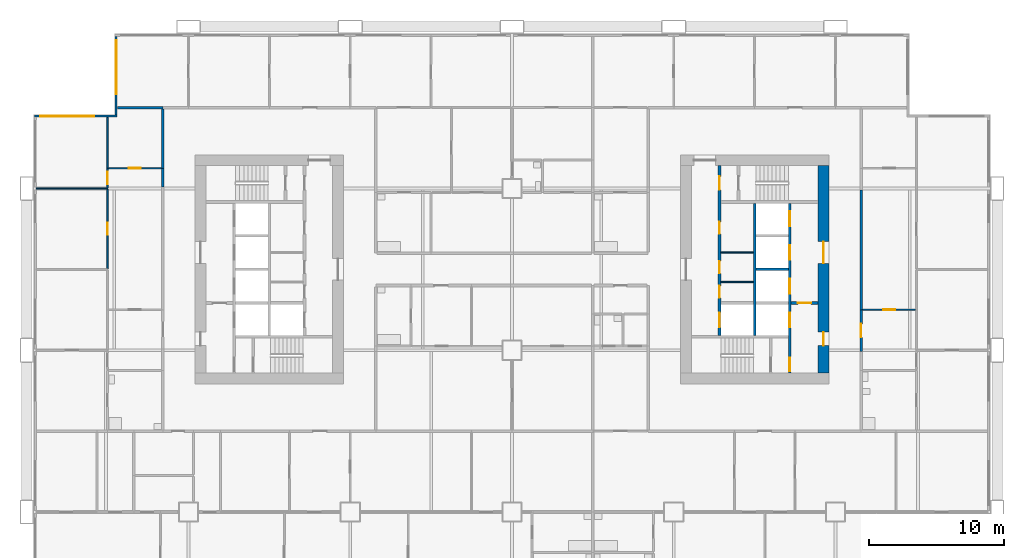
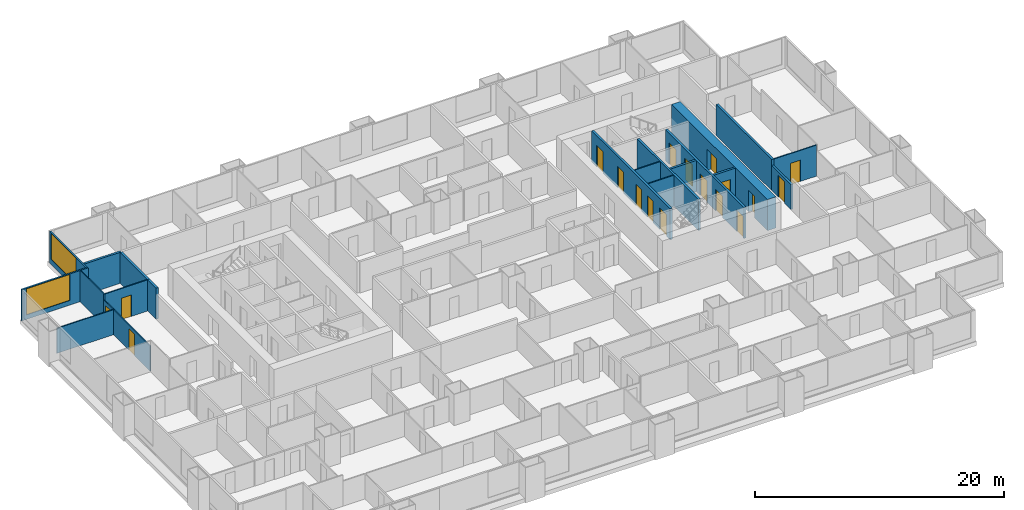
# One storey, part 7 of 13: 21 walls, 18 doors, 2 windows, 20 openings.
"""IFC4 building model written with IfcOpenShell, lengths in metres."""

from ifc_helpers import new_model, si_unit, direction, frame, frame_2d, origin, place, context, subcontext, project, spatial, rectangle, extrude, material, layer, layer_set, type_object, element, fill, save


model = new_model("IFC4")

# Units and contexts
model_context = context("Model", 3, precision=1e-05, world=origin(), true_north=direction((0.0, 1.0)))
body_context = subcontext(model_context, "Body", "Model", "MODEL_VIEW")
ifc_project = project(units=[si_unit("LENGTHUNIT", "METRE"), si_unit("AREAUNIT", "SQUARE_METRE"), si_unit("VOLUMEUNIT", "CUBIC_METRE"), si_unit("PLANEANGLEUNIT", "RADIAN"), si_unit("MASSUNIT", "GRAM", prefix="KILO")], contexts=[model_context])

# Site, building, storey
site_placement = place(None, origin())
site = spatial("IfcSite", under=ifc_project, at=site_placement, CompositionType="ELEMENT")
building_placement = place(site_placement, origin())
building = spatial("IfcBuilding", under=site, at=building_placement, Name="Kitamizu Gate Tower and Museum", CompositionType="ELEMENT")
storey_placement = place(building_placement, frame((0.0, 0.0, 57.60009765625)))
storey = spatial("IfcBuildingStorey", under=building, at=storey_placement, Name="L13", CompositionType="ELEMENT", Elevation=57.60009765625)

# Wall, openings, doors
ifc_material_1 = material(Name="Concrete Fc60", Category="concrete")
ifc_layer_1 = layer(ifc_material_1, 0.800048828125)
ifc_layer_set_1 = layer_set([ifc_layer_1], Name="Concrete Fc60")
wall_type_1 = type_object("IfcWallType", Name="Core wall 800", PredefinedType="SHEAR", material=ifc_layer_set_1)
wall_1_placement = place(storey_placement, frame((59.10009765625, 22.300048828125, 0.0), z_axis=(0.0, 0.0, 1.0), x_axis=(0.0, 1.0, 0.0)))
wall_1 = element("IfcWall", 1, at=wall_1_placement, inside=storey, type_object=wall_type_1, Name="Core wall EOUT", PredefinedType="SHEAR", context=body_context, shape_type="SweptSolid", body=[
    extrude(rectangle(XDim=15.39990234375, YDim=0.800048828125, at=frame_2d((7.699951171875, 0.0))), origin(), (0.0, 0.0, 1.0), 3.0498046875),
])
opening_1_placement = place(wall_1_placement, frame((8.14990234375, 0.0, 0.0)))
opening_1 = element("IfcOpeningElement", 2, at=opening_1_placement, cuts=wall_1, Name="Opening L13-093", PredefinedType="OPENING", context=body_context, shape_type="SweptSolid", body=[
    extrude(rectangle(XDim=1.60009765625, YDim=2.10009765625, at=frame_2d((0.800048828125, 1.050048828125))), frame((0.0, 0.41015625, 0.0), z_axis=(0.0, -1.0, 0.0), x_axis=(1.0, 0.0, 0.0)), (0.0, 0.0, 1.0), 0.820068359375),
])
opening_2_placement = place(wall_1_placement, frame((2.050048828125, 0.0, 0.0)))
opening_2 = element("IfcOpeningElement", 3, at=opening_2_placement, cuts=wall_1, Name="Opening L13-094", PredefinedType="OPENING", context=body_context, shape_type="SweptSolid", body=[
    extrude(rectangle(XDim=1.0, YDim=2.10009765625, at=frame_2d((0.5, 1.050048828125))), frame((0.0, 0.41015625, 0.0), z_axis=(0.0, -1.0, 0.0), x_axis=(1.0, 0.0, 0.0)), (0.0, 0.0, 1.0), 0.820068359375),
])
ifc_material_2 = material(Name="Timber door set", Category="wood")
door_type_1 = type_object("IfcDoorType", Name="Entrance door 1600", OperationType="DOUBLE_DOOR_SINGLE_SWING", PredefinedType="DOOR", material=ifc_material_2)
door_1_placement = place(opening_1_placement, origin())
door_1 = element("IfcDoor", 4, at=door_1_placement, inside=storey, type_object=door_type_1, Name="Lobby door L13-093", OperationType="DOUBLE_DOOR_SINGLE_SWING", OverallHeight=2.10009765625, OverallWidth=1.60009765625, PredefinedType="DOOR", context=body_context, shape_type="SweptSolid", body=[
    extrude(rectangle(XDim=1.60009765625, YDim=2.10009765625, at=frame_2d((0.800048828125, 1.050048828125))), frame((0.0, 0.02490234375, 0.0), z_axis=(0.0, -1.0, 0.0), x_axis=(1.0, 0.0, 0.0)), (0.0, 0.0, 1.0), 0.050048828125),
])
fill(opening_1, door_1)
ifc_material_3 = material(Name="Hollow metal door set")
door_type_2 = type_object("IfcDoorType", Name="Fire door 1000", OperationType="NOTDEFINED", PredefinedType="DOOR", material=ifc_material_3)
door_2_placement = place(opening_2_placement, origin())
door_2 = element("IfcDoor", 5, at=door_2_placement, inside=storey, type_object=door_type_2, Name="Fire-fighting lobby door L13-094", OperationType="SINGLE_SWING_RIGHT", OverallHeight=2.10009765625, OverallWidth=1.0, PredefinedType="DOOR", context=body_context, shape_type="SweptSolid", body=[
    extrude(rectangle(XDim=1.0, YDim=2.10009765625, at=frame_2d((0.5, 1.050048828125))), frame((0.0, 0.02490234375, 0.0), z_axis=(0.0, -1.0, 0.0), x_axis=(1.0, 0.0, 0.0)), (0.0, 0.0, 1.0), 0.050048828125),
])
fill(opening_2, door_2)

# Walls
ifc_material_4 = material(Name="Gypsum board on galvanised stud")
ifc_layer_2 = layer(ifc_material_4, 0.10009765625)
ifc_layer_set_2 = layer_set([ifc_layer_2], Name="Gypsum board on galvanised stud")
wall_type_2 = type_object("IfcWallType", Name="Partition 100", PredefinedType="PARTITIONING", material=ifc_layer_set_2)
for number, where, z_axis, x_axis, name in (
    (6, (53.89990234375, 29.06005859375, 0.0), (0.0, 0.0, 1.0), (-1.0, 0.0, 0.0), "Partition EPF1"),
    (7, (53.89990234375, 31.25, 0.0), (0.0, 0.0, 1.0), (-1.0, 0.0, 0.0), "Partition EPF2"),
):
    element("IfcWall", number, at=place(storey_placement, frame(where, z_axis=z_axis, x_axis=x_axis)), inside=storey, type_object=wall_type_2, Name=name, PredefinedType="PARTITIONING", context=body_context, shape_type="SweptSolid", body=[
        extrude(rectangle(XDim=2.39990234375, YDim=0.10009765625, at=frame_2d((1.199951171875, 0.0))), origin(), (0.0, 0.0, 1.0), 3.0498046875),
    ])
ifc_material_5 = material(Name="Gypsum board on galvanised stud")
ifc_layer_3 = layer(ifc_material_5, 0.10009765625)
ifc_layer_set_3 = layer_set([ifc_layer_3], Name="Gypsum board on galvanised stud")
wall_type_3 = type_object("IfcWallType", Name="Partition 100 NOT RATED", PredefinedType="PARTITIONING", material=ifc_layer_set_3)
wall_2_placement = place(storey_placement, frame((6.0, 36.0, 0.0), z_axis=(0.0, 0.0, 1.0), x_axis=(-1.0, 0.0, 0.0)))
element("IfcWall", 8, at=wall_2_placement, inside=storey, type_object=wall_type_3, Name="Partition L13-162", PredefinedType="PARTITIONING", context=body_context, shape_type="SweptSolid", body=[
    extrude(rectangle(XDim=5.280029296875, YDim=0.10009765625, at=frame_2d((2.64013671875, 0.0))), origin(), (0.0, 0.0, 1.0), 2.449951171875),
])

# Wall, opening, door
wall_3_placement = place(storey_placement, frame((6.0, 30.050048828125, 0.0), z_axis=(0.0, 0.0, 1.0), x_axis=(0.0, 1.0, 0.0)))
wall_3 = element("IfcWall", 9, at=wall_3_placement, inside=storey, type_object=wall_type_3, Name="Partition L13-163", PredefinedType="PARTITIONING", context=body_context, shape_type="SweptSolid", body=[
    extrude(rectangle(XDim=5.89990234375, YDim=0.10009765625, at=frame_2d((2.949951171875, 0.0))), origin(), (0.0, 0.0, 1.0), 2.449951171875),
])
opening_3_placement = place(wall_3_placement, frame((2.5, 0.0, 0.0)))
opening_3 = element("IfcOpeningElement", 10, at=opening_3_placement, cuts=wall_3, Name="Opening L13-058", PredefinedType="OPENING", context=body_context, shape_type="SweptSolid", body=[
    extrude(rectangle(XDim=0.89990234375, YDim=2.10009765625, at=frame_2d((0.449951171875, 1.050048828125))), frame((0.0, 0.06005859375, 0.0), z_axis=(0.0, -1.0, 0.0), x_axis=(1.0, 0.0, 0.0)), (0.0, 0.0, 1.0), 0.1201171875),
])
ifc_material_6 = material(Name="Timber door set", Category="wood")
door_type_3 = type_object("IfcDoorType", Name="Room door 900", OperationType="NOTDEFINED", PredefinedType="DOOR", material=ifc_material_6)
door_3_placement = place(opening_3_placement, origin())
door_3 = element("IfcDoor", 11, at=door_3_placement, inside=storey, type_object=door_type_3, Name="Door L13-058", OperationType="SINGLE_SWING_LEFT", OverallHeight=2.10009765625, OverallWidth=0.89990234375, PredefinedType="DOOR", context=body_context, shape_type="SweptSolid", body=[
    extrude(rectangle(XDim=0.89990234375, YDim=2.10009765625, at=frame_2d((0.449951171875, 1.050048828125))), frame((0.0, 0.02490234375, 0.0), z_axis=(0.0, -1.0, 0.0), x_axis=(1.0, 0.0, 0.0)), (0.0, 0.0, 1.0), 0.050048828125),
])
fill(opening_3, door_3)

wall_4_placement = place(storey_placement, frame((6.0, 36.050048828125, 0.0), z_axis=(0.0, 0.0, 1.0), x_axis=(0.0, 1.0, 0.0)))
wall_4 = element("IfcWall", 12, at=wall_4_placement, inside=storey, type_object=wall_type_3, Name="Partition L13-164", PredefinedType="PARTITIONING", context=body_context, shape_type="SweptSolid", body=[
    extrude(rectangle(XDim=1.449951171875, YDim=0.10009765625, at=frame_2d((0.72509765625, 0.0))), origin(), (0.0, 0.0, 1.0), 2.449951171875),
])
opening_4_placement = place(wall_4_placement, frame((0.27490234375, 0.0, 0.0)))
opening_4 = element("IfcOpeningElement", 13, at=opening_4_placement, cuts=wall_4, Name="Opening L13-059", PredefinedType="OPENING", context=body_context, shape_type="SweptSolid", body=[
    extrude(rectangle(XDim=0.89990234375, YDim=2.10009765625, at=frame_2d((0.449951171875, 1.050048828125))), frame((0.0, 0.06005859375, 0.0), z_axis=(0.0, -1.0, 0.0), x_axis=(1.0, 0.0, 0.0)), (0.0, 0.0, 1.0), 0.1201171875),
])
door_4_placement = place(opening_4_placement, origin())
door_4 = element("IfcDoor", 14, at=door_4_placement, inside=storey, type_object=door_type_3, Name="Door L13-059", OperationType="SINGLE_SWING_RIGHT", OverallHeight=2.10009765625, OverallWidth=0.89990234375, PredefinedType="DOOR", context=body_context, shape_type="SweptSolid", body=[
    extrude(rectangle(XDim=0.89990234375, YDim=2.10009765625, at=frame_2d((0.449951171875, 1.050048828125))), frame((0.0, 0.02490234375, 0.0), z_axis=(0.0, -1.0, 0.0), x_axis=(1.0, 0.0, 0.0)), (0.0, 0.0, 1.0), 0.050048828125),
])
fill(opening_4, door_4)

# Wall
wall_5_placement = place(storey_placement, frame((6.0, 37.5, 0.0), z_axis=(0.0, 0.0, 1.0), x_axis=(0.0, 1.0, 0.0)))
element("IfcWall", 15, at=wall_5_placement, inside=storey, type_object=wall_type_3, Name="Partition L13-165", PredefinedType="PARTITIONING", context=body_context, shape_type="SweptSolid", body=[
    extrude(rectangle(XDim=3.780029296875, YDim=0.10009765625, at=frame_2d((1.89013671875, 0.0))), origin(), (0.0, 0.0, 1.0), 3.0498046875),
])

# Wall, opening, door
wall_6_placement = place(storey_placement, frame((10.0, 37.5, 0.0), z_axis=(0.0, 0.0, 1.0), x_axis=(-1.0, 0.0, 0.0)))
wall_6 = element("IfcWall", 16, at=wall_6_placement, inside=storey, type_object=wall_type_3, Name="Partition L13-171", PredefinedType="PARTITIONING", context=body_context, shape_type="SweptSolid", body=[
    extrude(rectangle(XDim=3.949951171875, YDim=0.10009765625, at=frame_2d((1.97509765625, 0.0))), origin(), (0.0, 0.0, 1.0), 3.0498046875),
])
opening_5_placement = place(wall_6_placement, frame((1.52490234375, 0.0, 0.0)))
opening_5 = element("IfcOpeningElement", 17, at=opening_5_placement, cuts=wall_6, Name="Opening L13-062", PredefinedType="OPENING", context=body_context, shape_type="SweptSolid", body=[
    extrude(rectangle(XDim=0.89990234375, YDim=2.10009765625, at=frame_2d((0.449951171875, 1.050048828125))), frame((0.0, 0.06005859375, 0.0), z_axis=(0.0, -1.0, 0.0), x_axis=(1.0, 0.0, 0.0)), (0.0, 0.0, 1.0), 0.1201171875),
])
door_5_placement = place(opening_5_placement, frame((0.89990234375, 0.0, 0.0), x_axis=(-1.0, 0.0, 0.0)))
door_5 = element("IfcDoor", 18, at=door_5_placement, inside=storey, type_object=door_type_3, Name="Door L13-062", OperationType="SINGLE_SWING_LEFT", OverallHeight=2.10009765625, OverallWidth=0.89990234375, PredefinedType="DOOR", context=body_context, shape_type="SweptSolid", body=[
    extrude(rectangle(XDim=0.89990234375, YDim=2.10009765625, at=frame_2d((0.449951171875, 1.050048828125))), frame((0.0, 0.02490234375, 0.0), z_axis=(0.0, -1.0, 0.0), x_axis=(1.0, 0.0, 0.0)), (0.0, 0.0, 1.0), 0.050048828125),
])
fill(opening_5, door_5)

wall_7_placement = place(storey_placement, frame((65.949951171875, 27.0, 0.0), z_axis=(0.0, 0.0, 1.0), x_axis=(-1.0, 0.0, 0.0)))
wall_7 = element("IfcWall", 19, at=wall_7_placement, inside=storey, type_object=wall_type_3, Name="Partition L13-200", PredefinedType="PARTITIONING", context=body_context, shape_type="SweptSolid", body=[
    extrude(rectangle(XDim=3.949951171875, YDim=0.10009765625, at=frame_2d((1.97509765625, 0.0))), origin(), (0.0, 0.0, 1.0), 3.0498046875),
])
opening_6_placement = place(wall_7_placement, frame((1.52490234375, 0.0, 0.0)))
opening_6 = element("IfcOpeningElement", 20, at=opening_6_placement, cuts=wall_7, Name="Opening L13-071", PredefinedType="OPENING", context=body_context, shape_type="SweptSolid", body=[
    extrude(rectangle(XDim=0.89990234375, YDim=2.10009765625, at=frame_2d((0.449951171875, 1.050048828125))), frame((0.0, 0.06005859375, 0.0), z_axis=(0.0, -1.0, 0.0), x_axis=(1.0, 0.0, 0.0)), (0.0, 0.0, 1.0), 0.1201171875),
])
door_6_placement = place(opening_6_placement, origin())
door_6 = element("IfcDoor", 21, at=door_6_placement, inside=storey, type_object=door_type_3, Name="Door L13-071", OperationType="SINGLE_SWING_LEFT", OverallHeight=2.10009765625, OverallWidth=0.89990234375, PredefinedType="DOOR", context=body_context, shape_type="SweptSolid", body=[
    extrude(rectangle(XDim=0.89990234375, YDim=2.10009765625, at=frame_2d((0.449951171875, 1.050048828125))), frame((0.0, 0.02490234375, 0.0), z_axis=(0.0, -1.0, 0.0), x_axis=(1.0, 0.0, 0.0)), (0.0, 0.0, 1.0), 0.050048828125),
])
fill(opening_6, door_6)

# Walls
ifc_material_7 = material(Name="Gypsum board on galvanised stud")
ifc_layer_4 = layer(ifc_material_7, 0.199951171875)
ifc_layer_set_4 = layer_set([ifc_layer_4], Name="Gypsum board on galvanised stud")
wall_type_4 = type_object("IfcWallType", Name="Partition 200", PredefinedType="PARTITIONING", material=ifc_layer_set_4)
wall_8_placement = place(storey_placement, frame((6.719970703125, 42.0, 0.0), z_axis=(0.0, 0.0, 1.0), x_axis=(1.0, 0.0, 0.0)))
element("IfcWall", 22, at=wall_8_placement, inside=storey, type_object=wall_type_4, Name="Partition L13-120", PredefinedType="PARTITIONING", context=body_context, shape_type="SweptSolid", body=[
    extrude(rectangle(XDim=3.380126953125, YDim=0.199951171875, at=frame_2d((1.68994140625, 0.0))), origin(), (0.0, 0.0, 1.0), 3.0498046875),
])
wall_9_placement = place(storey_placement, frame((10.10009765625, 36.10009765625, 0.0), z_axis=(0.0, 0.0, 1.0), x_axis=(0.0, 1.0, 0.0)))
element("IfcWall", 23, at=wall_9_placement, inside=storey, type_object=wall_type_4, Name="Partition L13-173", PredefinedType="PARTITIONING", context=body_context, shape_type="SweptSolid", body=[
    extrude(rectangle(XDim=1.39990234375, YDim=0.199951171875, at=frame_2d((0.699951171875, 0.0))), origin(), (0.0, 0.0, 1.0), 3.0498046875),
])
wall_10_placement = place(storey_placement, frame((10.10009765625, 37.5, 0.0), z_axis=(0.0, 0.0, 1.0), x_axis=(0.0, 1.0, 0.0)))
element("IfcWall", 24, at=wall_10_placement, inside=storey, type_object=wall_type_4, Name="Partition L13-174", PredefinedType="PARTITIONING", context=body_context, shape_type="SweptSolid", body=[
    extrude(rectangle(XDim=4.39990234375, YDim=0.199951171875, at=frame_2d((2.199951171875, 0.0))), origin(), (0.0, 0.0, 1.0), 3.0498046875),
])

# Wall, opening, door
wall_11_placement = place(storey_placement, frame((61.89990234375, 27.0, 0.0), z_axis=(0.0, 0.0, 1.0), x_axis=(0.0, -1.0, 0.0)))
wall_11 = element("IfcWall", 25, at=wall_11_placement, inside=storey, type_object=wall_type_4, Name="Partition L13-201", PredefinedType="PARTITIONING", context=body_context, shape_type="SweptSolid", body=[
    extrude(rectangle(XDim=3.10009765625, YDim=0.199951171875, at=frame_2d((1.550048828125, 0.0))), origin(), (0.0, 0.0, 1.0), 2.449951171875),
])
opening_7_placement = place(wall_11_placement, frame((1.050048828125, 0.0, 0.0)))
opening_7 = element("IfcOpeningElement", 26, at=opening_7_placement, cuts=wall_11, Name="Opening L13-069", PredefinedType="OPENING", context=body_context, shape_type="SweptSolid", body=[
    extrude(rectangle(XDim=1.0, YDim=2.10009765625, at=frame_2d((0.5, 1.050048828125))), frame((0.0, 0.10986328125, 0.0), z_axis=(0.0, -1.0, 0.0), x_axis=(1.0, 0.0, 0.0)), (0.0, 0.0, 1.0), 0.219970703125),
])
ifc_material_8 = material(Name="Timber door set", Category="wood")
door_type_4 = type_object("IfcDoorType", Name="Flat entrance door 1000", OperationType="NOTDEFINED", PredefinedType="DOOR", material=ifc_material_8)
door_7_placement = place(opening_7_placement, origin())
door_7 = element("IfcDoor", 27, at=door_7_placement, inside=storey, type_object=door_type_4, Name="Flat entrance door L13-069", OperationType="SINGLE_SWING_RIGHT", OverallHeight=2.10009765625, OverallWidth=1.0, PredefinedType="DOOR", context=body_context, shape_type="SweptSolid", body=[
    extrude(rectangle(XDim=1.0, YDim=2.10009765625, at=frame_2d((0.5, 1.050048828125))), frame((0.0, 0.02490234375, 0.0), z_axis=(0.0, -1.0, 0.0), x_axis=(1.0, 0.0, 0.0)), (0.0, 0.0, 1.0), 0.050048828125),
])
fill(opening_7, door_7)

# Wall
wall_12_placement = place(storey_placement, frame((61.89990234375, 35.89990234375, 0.0), z_axis=(0.0, 0.0, 1.0), x_axis=(0.0, -1.0, 0.0)))
element("IfcWall", 28, at=wall_12_placement, inside=storey, type_object=wall_type_4, Name="Partition L13-205", PredefinedType="PARTITIONING", context=body_context, shape_type="SweptSolid", body=[
    extrude(rectangle(XDim=8.89990234375, YDim=0.199951171875, at=frame_2d((4.449951171875, 0.0))), origin(), (0.0, 0.0, 1.0), 3.0498046875),
])

# Wall, openings, doors
ifc_material_9 = material(Name="Concrete Fc42", Category="concrete")
ifc_layer_5 = layer(ifc_material_9, 0.199951171875)
ifc_layer_set_5 = layer_set([ifc_layer_5], Name="Concrete Fc42")
wall_type_5 = type_object("IfcWallType", Name="Shaft wall 200", PredefinedType="SOLIDWALL", material=ifc_layer_set_5)
wall_13_placement = place(storey_placement, frame((56.60009765625, 22.300048828125, 0.0), z_axis=(0.0, 0.0, 1.0), x_axis=(0.0, 1.0, 0.0)))
wall_13 = element("IfcWall", 29, at=wall_13_placement, inside=storey, type_object=wall_type_5, Name="Shaft wall EWEST", PredefinedType="SOLIDWALL", context=body_context, shape_type="SweptSolid", body=[
    extrude(rectangle(XDim=12.599853515625, YDim=0.199951171875, at=frame_2d((6.2998046875, 0.0))), origin(), (0.0, 0.0, 1.0), 3.0498046875),
])
opening_8_placement = place(wall_13_placement, frame((3.39990234375, 0.0, 0.0)))
opening_8 = element("IfcOpeningElement", 30, at=opening_8_placement, cuts=wall_13, Name="Opening LD", PredefinedType="OPENING", context=body_context, shape_type="SweptSolid", body=[
    extrude(rectangle(XDim=1.10009765625, YDim=2.10009765625, at=frame_2d((0.550048828125, 1.050048828125))), frame((0.0, 0.10986328125, 0.0), z_axis=(0.0, -1.0, 0.0), x_axis=(1.0, 0.0, 0.0)), (0.0, 0.0, 1.0), 0.219970703125),
])
opening_9_placement = place(wall_13_placement, frame((5.89990234375, 0.0, 0.0)))
opening_9 = element("IfcOpeningElement", 31, at=opening_9_placement, cuts=wall_13, Name="Opening LD", PredefinedType="OPENING", context=body_context, shape_type="SweptSolid", body=[
    extrude(rectangle(XDim=1.10009765625, YDim=2.10009765625, at=frame_2d((0.550048828125, 1.050048828125))), frame((0.0, 0.10986328125, 0.0), z_axis=(0.0, -1.0, 0.0), x_axis=(1.0, 0.0, 0.0)), (0.0, 0.0, 1.0), 0.219970703125),
])
opening_10_placement = place(wall_13_placement, frame((8.39990234375, 0.0, 0.0)))
opening_10 = element("IfcOpeningElement", 32, at=opening_10_placement, cuts=wall_13, Name="Opening LD", PredefinedType="OPENING", context=body_context, shape_type="SweptSolid", body=[
    extrude(rectangle(XDim=1.10009765625, YDim=2.10009765625, at=frame_2d((0.550048828125, 1.050048828125))), frame((0.0, 0.10986328125, 0.0), z_axis=(0.0, -1.0, 0.0), x_axis=(1.0, 0.0, 0.0)), (0.0, 0.0, 1.0), 0.219970703125),
])
opening_11_placement = place(wall_13_placement, frame((10.89990234375, 0.0, 0.0)))
opening_11 = element("IfcOpeningElement", 33, at=opening_11_placement, cuts=wall_13, Name="Opening LD", PredefinedType="OPENING", context=body_context, shape_type="SweptSolid", body=[
    extrude(rectangle(XDim=1.10009765625, YDim=2.10009765625, at=frame_2d((0.550048828125, 1.050048828125))), frame((0.0, 0.10986328125, 0.0), z_axis=(0.0, -1.0, 0.0), x_axis=(1.0, 0.0, 0.0)), (0.0, 0.0, 1.0), 0.219970703125),
])
opening_12_placement = place(wall_13_placement, frame((0.14990234375, 0.0, 0.0)))
opening_12 = element("IfcOpeningElement", 34, at=opening_12_placement, cuts=wall_13, Name="Opening L13-089", PredefinedType="OPENING", context=body_context, shape_type="SweptSolid", body=[
    extrude(rectangle(XDim=1.0, YDim=2.10009765625, at=frame_2d((0.5, 1.050048828125))), frame((0.0, 0.10986328125, 0.0), z_axis=(0.0, -1.0, 0.0), x_axis=(1.0, 0.0, 0.0)), (0.0, 0.0, 1.0), 0.219970703125),
])
door_8_placement = place(opening_12_placement, origin())
door_8 = element("IfcDoor", 35, at=door_8_placement, inside=storey, type_object=door_type_2, Name="Stair lobby door L13-089", OperationType="SINGLE_SWING_RIGHT", OverallHeight=2.10009765625, OverallWidth=1.0, PredefinedType="DOOR", context=body_context, shape_type="SweptSolid", body=[
    extrude(rectangle(XDim=1.0, YDim=2.10009765625, at=frame_2d((0.5, 1.050048828125))), frame((0.0, 0.02490234375, 0.0), z_axis=(0.0, -1.0, 0.0), x_axis=(1.0, 0.0, 0.0)), (0.0, 0.0, 1.0), 0.050048828125),
])
fill(opening_12, door_8)
ifc_material_10 = material(Name="Hollow metal door set")
door_type_5 = type_object("IfcDoorType", Name="Landing door 1100", OperationType="SLIDING_TO_LEFT", PredefinedType="DOOR", material=ifc_material_10)
door_9_placement = place(opening_8_placement, origin())
door_9 = element("IfcDoor", 36, at=door_9_placement, inside=storey, type_object=door_type_5, Name="Landing door EFF1", OperationType="SLIDING_TO_LEFT", OverallHeight=2.10009765625, OverallWidth=1.10009765625, PredefinedType="DOOR", context=body_context, shape_type="SweptSolid", body=[
    extrude(rectangle(XDim=1.10009765625, YDim=2.10009765625, at=frame_2d((0.550048828125, 1.050048828125))), frame((0.0, 0.02490234375, 0.0), z_axis=(0.0, -1.0, 0.0), x_axis=(1.0, 0.0, 0.0)), (0.0, 0.0, 1.0), 0.050048828125),
])
fill(opening_8, door_9)
door_10_placement = place(opening_9_placement, origin())
door_10 = element("IfcDoor", 37, at=door_10_placement, inside=storey, type_object=door_type_5, Name="Landing door EL1", OperationType="SLIDING_TO_LEFT", OverallHeight=2.10009765625, OverallWidth=1.10009765625, PredefinedType="DOOR", context=body_context, shape_type="SweptSolid", body=[
    extrude(rectangle(XDim=1.10009765625, YDim=2.10009765625, at=frame_2d((0.550048828125, 1.050048828125))), frame((0.0, 0.02490234375, 0.0), z_axis=(0.0, -1.0, 0.0), x_axis=(1.0, 0.0, 0.0)), (0.0, 0.0, 1.0), 0.050048828125),
])
fill(opening_9, door_10)
door_11_placement = place(opening_10_placement, origin())
door_11 = element("IfcDoor", 38, at=door_11_placement, inside=storey, type_object=door_type_5, Name="Landing door EL2", OperationType="SLIDING_TO_LEFT", OverallHeight=2.10009765625, OverallWidth=1.10009765625, PredefinedType="DOOR", context=body_context, shape_type="SweptSolid", body=[
    extrude(rectangle(XDim=1.10009765625, YDim=2.10009765625, at=frame_2d((0.550048828125, 1.050048828125))), frame((0.0, 0.02490234375, 0.0), z_axis=(0.0, -1.0, 0.0), x_axis=(1.0, 0.0, 0.0)), (0.0, 0.0, 1.0), 0.050048828125),
])
fill(opening_10, door_11)
door_12_placement = place(opening_11_placement, origin())
door_12 = element("IfcDoor", 39, at=door_12_placement, inside=storey, type_object=door_type_5, Name="Landing door EL3", OperationType="SLIDING_TO_LEFT", OverallHeight=2.10009765625, OverallWidth=1.10009765625, PredefinedType="DOOR", context=body_context, shape_type="SweptSolid", body=[
    extrude(rectangle(XDim=1.10009765625, YDim=2.10009765625, at=frame_2d((0.550048828125, 1.050048828125))), frame((0.0, 0.02490234375, 0.0), z_axis=(0.0, -1.0, 0.0), x_axis=(1.0, 0.0, 0.0)), (0.0, 0.0, 1.0), 0.050048828125),
])
fill(opening_11, door_12)

wall_14_placement = place(storey_placement, frame((51.39990234375, 25.10009765625, 0.0), z_axis=(0.0, 0.0, 1.0), x_axis=(0.0, 1.0, 0.0)))
wall_14 = element("IfcWall", 40, at=wall_14_placement, inside=storey, type_object=wall_type_5, Name="Shaft wall EEAST", PredefinedType="SOLIDWALL", context=body_context, shape_type="SweptSolid", body=[
    extrude(rectangle(XDim=12.599853515625, YDim=0.199951171875, at=frame_2d((6.2998046875, 0.0))), origin(), (0.0, 0.0, 1.0), 3.0498046875),
])
opening_13_placement = place(wall_14_placement, frame((0.60009765625, 0.0, 0.0)))
opening_13 = element("IfcOpeningElement", 41, at=opening_13_placement, cuts=wall_14, Name="Opening LD", PredefinedType="OPENING", context=body_context, shape_type="SweptSolid", body=[
    extrude(rectangle(XDim=1.10009765625, YDim=2.10009765625, at=frame_2d((0.550048828125, 1.050048828125))), frame((0.0, 0.10986328125, 0.0), z_axis=(0.0, -1.0, 0.0), x_axis=(1.0, 0.0, 0.0)), (0.0, 0.0, 1.0), 0.219970703125),
])
opening_14_placement = place(wall_14_placement, frame((10.800048828125, 0.0, 0.0)))
opening_14 = element("IfcOpeningElement", 42, at=opening_14_placement, cuts=wall_14, Name="Opening L13-090", PredefinedType="OPENING", context=body_context, shape_type="SweptSolid", body=[
    extrude(rectangle(XDim=1.0, YDim=2.10009765625, at=frame_2d((0.5, 1.050048828125))), frame((0.0, 0.10986328125, 0.0), z_axis=(0.0, -1.0, 0.0), x_axis=(1.0, 0.0, 0.0)), (0.0, 0.0, 1.0), 0.219970703125),
])
opening_15_placement = place(wall_14_placement, frame((2.780029296875, 0.0, 0.0)))
opening_15 = element("IfcOpeningElement", 43, at=opening_15_placement, cuts=wall_14, Name="Opening L13-097", PredefinedType="OPENING", context=body_context, shape_type="SweptSolid", body=[
    extrude(rectangle(XDim=0.89990234375, YDim=2.10009765625, at=frame_2d((0.449951171875, 1.050048828125))), frame((0.0, 0.10986328125, 0.0), z_axis=(0.0, -1.0, 0.0), x_axis=(1.0, 0.0, 0.0)), (0.0, 0.0, 1.0), 0.219970703125),
])
opening_16_placement = place(wall_14_placement, frame((4.60498046875, 0.0, 0.0)))
opening_16 = element("IfcOpeningElement", 44, at=opening_16_placement, cuts=wall_14, Name="Opening L13-098", PredefinedType="OPENING", context=body_context, shape_type="SweptSolid", body=[
    extrude(rectangle(XDim=0.89990234375, YDim=2.10009765625, at=frame_2d((0.449951171875, 1.050048828125))), frame((0.0, 0.10986328125, 0.0), z_axis=(0.0, -1.0, 0.0), x_axis=(1.0, 0.0, 0.0)), (0.0, 0.0, 1.0), 0.219970703125),
])
opening_17_placement = place(wall_14_placement, frame((7.52490234375, 0.0, 0.0)))
opening_17 = element("IfcOpeningElement", 45, at=opening_17_placement, cuts=wall_14, Name="Opening L13-099", PredefinedType="OPENING", context=body_context, shape_type="SweptSolid", body=[
    extrude(rectangle(XDim=0.89990234375, YDim=2.10009765625, at=frame_2d((0.449951171875, 1.050048828125))), frame((0.0, 0.10986328125, 0.0), z_axis=(0.0, -1.0, 0.0), x_axis=(1.0, 0.0, 0.0)), (0.0, 0.0, 1.0), 0.219970703125),
])
door_13_placement = place(opening_14_placement, frame((1.0, 0.0, 0.0), x_axis=(-1.0, 0.0, 0.0)))
door_13 = element("IfcDoor", 46, at=door_13_placement, inside=storey, type_object=door_type_2, Name="Stair lobby door L13-090", OperationType="SINGLE_SWING_RIGHT", OverallHeight=2.10009765625, OverallWidth=1.0, PredefinedType="DOOR", context=body_context, shape_type="SweptSolid", body=[
    extrude(rectangle(XDim=1.0, YDim=2.10009765625, at=frame_2d((0.5, 1.050048828125))), frame((0.0, 0.02490234375, 0.0), z_axis=(0.0, -1.0, 0.0), x_axis=(1.0, 0.0, 0.0)), (0.0, 0.0, 1.0), 0.050048828125),
])
fill(opening_14, door_13)
door_14_placement = place(opening_13_placement, origin())
door_14 = element("IfcDoor", 47, at=door_14_placement, inside=storey, type_object=door_type_5, Name="Landing door ESV1", OperationType="SLIDING_TO_LEFT", OverallHeight=2.10009765625, OverallWidth=1.10009765625, PredefinedType="DOOR", context=body_context, shape_type="SweptSolid", body=[
    extrude(rectangle(XDim=1.10009765625, YDim=2.10009765625, at=frame_2d((0.550048828125, 1.050048828125))), frame((0.0, 0.02490234375, 0.0), z_axis=(0.0, -1.0, 0.0), x_axis=(1.0, 0.0, 0.0)), (0.0, 0.0, 1.0), 0.050048828125),
])
fill(opening_13, door_14)
ifc_material_11 = material(Name="Timber door set", Category="wood")
door_type_6 = type_object("IfcDoorType", Name="Service door 900", OperationType="NOTDEFINED", PredefinedType="DOOR", material=ifc_material_11)
door_15_placement = place(opening_15_placement, frame((0.89990234375, 0.0, 0.0), x_axis=(-1.0, 0.0, 0.0)))
door_15 = element("IfcDoor", 48, at=door_15_placement, inside=storey, type_object=door_type_6, Name="Service door L13-097", OperationType="SINGLE_SWING_RIGHT", OverallHeight=2.10009765625, OverallWidth=0.89990234375, PredefinedType="DOOR", context=body_context, shape_type="SweptSolid", body=[
    extrude(rectangle(XDim=0.89990234375, YDim=2.10009765625, at=frame_2d((0.449951171875, 1.050048828125))), frame((0.0, 0.02490234375, 0.0), z_axis=(0.0, -1.0, 0.0), x_axis=(1.0, 0.0, 0.0)), (0.0, 0.0, 1.0), 0.050048828125),
])
fill(opening_15, door_15)
door_16_placement = place(opening_16_placement, frame((0.89990234375, 0.0, 0.0), x_axis=(-1.0, 0.0, 0.0)))
door_16 = element("IfcDoor", 49, at=door_16_placement, inside=storey, type_object=door_type_6, Name="Service door L13-098", OperationType="SINGLE_SWING_LEFT", OverallHeight=2.10009765625, OverallWidth=0.89990234375, PredefinedType="DOOR", context=body_context, shape_type="SweptSolid", body=[
    extrude(rectangle(XDim=0.89990234375, YDim=2.10009765625, at=frame_2d((0.449951171875, 1.050048828125))), frame((0.0, 0.02490234375, 0.0), z_axis=(0.0, -1.0, 0.0), x_axis=(1.0, 0.0, 0.0)), (0.0, 0.0, 1.0), 0.050048828125),
])
fill(opening_16, door_16)
door_17_placement = place(opening_17_placement, frame((0.89990234375, 0.0, 0.0), x_axis=(-1.0, 0.0, 0.0)))
door_17 = element("IfcDoor", 50, at=door_17_placement, inside=storey, type_object=door_type_6, Name="Service door L13-099", OperationType="SINGLE_SWING_RIGHT", OverallHeight=2.10009765625, OverallWidth=0.89990234375, PredefinedType="DOOR", context=body_context, shape_type="SweptSolid", body=[
    extrude(rectangle(XDim=0.89990234375, YDim=2.10009765625, at=frame_2d((0.449951171875, 1.050048828125))), frame((0.0, 0.02490234375, 0.0), z_axis=(0.0, -1.0, 0.0), x_axis=(1.0, 0.0, 0.0)), (0.0, 0.0, 1.0), 0.050048828125),
])
fill(opening_17, door_17)

# Wall
wall_15_placement = place(storey_placement, frame((54.0, 25.10009765625, 0.0), z_axis=(0.0, 0.0, 1.0), x_axis=(0.0, 1.0, 0.0)))
element("IfcWall", 51, at=wall_15_placement, inside=storey, type_object=wall_type_5, Name="Shaft wall EMID", PredefinedType="SOLIDWALL", context=body_context, shape_type="SweptSolid", body=[
    extrude(rectangle(XDim=9.7998046875, YDim=0.199951171875, at=frame_2d((4.89990234375, 0.0))), origin(), (0.0, 0.0, 1.0), 3.0498046875),
])

# Wall, opening, door
wall_16_placement = place(storey_placement, frame((58.699951171875, 27.5, 0.0), z_axis=(0.0, 0.0, 1.0), x_axis=(-1.0, 0.0, 0.0)))
wall_16 = element("IfcWall", 52, at=wall_16_placement, inside=storey, type_object=wall_type_5, Name="Shaft wall EFFN", PredefinedType="SOLIDWALL", context=body_context, shape_type="SweptSolid", body=[
    extrude(rectangle(XDim=2.0, YDim=0.199951171875, at=frame_2d((1.0, 0.0))), origin(), (0.0, 0.0, 1.0), 3.0498046875),
])
opening_18_placement = place(wall_16_placement, frame((0.5, 0.0, 0.0)))
opening_18 = element("IfcOpeningElement", 53, at=opening_18_placement, cuts=wall_16, Name="Opening L13-092", PredefinedType="OPENING", context=body_context, shape_type="SweptSolid", body=[
    extrude(rectangle(XDim=1.0, YDim=2.10009765625, at=frame_2d((0.5, 1.050048828125))), frame((0.0, 0.10986328125, 0.0), z_axis=(0.0, -1.0, 0.0), x_axis=(1.0, 0.0, 0.0)), (0.0, 0.0, 1.0), 0.219970703125),
])
door_18_placement = place(opening_18_placement, origin())
door_18 = element("IfcDoor", 54, at=door_18_placement, inside=storey, type_object=door_type_2, Name="Fire-fighting lobby door L13-092", OperationType="SINGLE_SWING_LEFT", OverallHeight=2.10009765625, OverallWidth=1.0, PredefinedType="DOOR", context=body_context, shape_type="SweptSolid", body=[
    extrude(rectangle(XDim=1.0, YDim=2.10009765625, at=frame_2d((0.5, 1.050048828125))), frame((0.0, 0.02490234375, 0.0), z_axis=(0.0, -1.0, 0.0), x_axis=(1.0, 0.0, 0.0)), (0.0, 0.0, 1.0), 0.050048828125),
])
fill(opening_18, door_18)

# Wall
wall_17_placement = place(storey_placement, frame((56.5, 30.0, 0.0), z_axis=(0.0, 0.0, 1.0), x_axis=(-1.0, 0.0, 0.0)))
element("IfcWall", 55, at=wall_17_placement, inside=storey, type_object=wall_type_5, Name="Shaft wall EDVW1", PredefinedType="SOLIDWALL", context=body_context, shape_type="SweptSolid", body=[
    extrude(rectangle(XDim=2.39990234375, YDim=0.199951171875, at=frame_2d((1.199951171875, 0.0))), origin(), (0.0, 0.0, 1.0), 3.0498046875),
])

# Wall, opening, window
ifc_material_12 = material(Name="Bronze anodised aluminium frame with insulated spandrel and tinted glass", Category="aluminium")
ifc_layer_6 = layer(ifc_material_12, 0.14990234375)
ifc_layer_set_6 = layer_set([ifc_layer_6], Name="Bronze anodised aluminium frame with insulated spandrel and tinted glass")
wall_type_6 = type_object("IfcWallType", Name="WINDOW WALL 150 BRONZE FRAME EI 30", PredefinedType="ELEMENTEDWALL", material=ifc_layer_set_6)
wall_18_placement = place(storey_placement, frame((6.635009765625, 41.43994140625, 0.0), z_axis=(0.0, 0.0, 1.0), x_axis=(0.0, 1.0, 0.0)))
wall_18 = element("IfcWall", 56, at=wall_18_placement, inside=storey, type_object=wall_type_6, Name="Window wall west L13", PredefinedType="ELEMENTEDWALL", context=body_context, shape_type="SweptSolid", body=[
    extrude(rectangle(XDim=5.85009765625, YDim=0.14990234375, at=frame_2d((2.925048828125, 0.0))), origin(), (0.0, 0.0, 1.0), 3.0498046875),
])
opening_19_placement = place(wall_18_placement, frame((1.56005859375, 0.0, 0.449951171875)))
opening_19 = element("IfcOpeningElement", 57, at=opening_19_placement, cuts=wall_18, Name="Opening W16", PredefinedType="OPENING", context=body_context, shape_type="SweptSolid", body=[
    extrude(rectangle(XDim=4.0, YDim=2.550048828125, at=frame_2d((2.0, 1.27490234375))), frame((0.0, 0.0849609375, 0.0), z_axis=(0.0, -1.0, 0.0), x_axis=(1.0, 0.0, 0.0)), (0.0, 0.0, 1.0), 0.169921875),
])
ifc_material_13 = material(Name="Bronze anodised aluminium frame, tinted triple glazing", Category="aluminium")
window_type = type_object("IfcWindowType", Name="WINDOW 4000 x 2550 SILL 450", PartitioningType="SINGLE_PANEL", PredefinedType="WINDOW", material=ifc_material_13)
window_1_placement = place(opening_19_placement, origin())
window_1 = element("IfcWindow", 58, at=window_1_placement, inside=storey, type_object=window_type, Name="Window W16 L13", OverallHeight=2.550048828125, OverallWidth=4.0, PartitioningType="SINGLE_PANEL", PredefinedType="WINDOW", context=body_context, shape_type="SweptSolid", body=[
    extrude(rectangle(XDim=4.0, YDim=2.550048828125, at=frame_2d((2.0, 1.27490234375))), frame((0.0, 0.030029296875, 0.0), z_axis=(0.0, -1.0, 0.0), x_axis=(1.0, 0.0, 0.0)), (0.0, 0.0, 1.0), 0.06005859375),
])
fill(opening_19, window_1)

wall_19_placement = place(storey_placement, frame((0.56005859375, 41.364990234375, 0.0), z_axis=(0.0, 0.0, 1.0), x_axis=(1.0, 0.0, 0.0)))
wall_19 = element("IfcWall", 59, at=wall_19_placement, inside=storey, type_object=wall_type_6, Name="Window wall north L13", PredefinedType="ELEMENTEDWALL", context=body_context, shape_type="SweptSolid", body=[
    extrude(rectangle(XDim=6.14990234375, YDim=0.14990234375, at=frame_2d((3.074951171875, 0.0))), origin(), (0.0, 0.0, 1.0), 3.0498046875),
])
opening_20_placement = place(wall_19_placement, frame((0.43994140625, 0.0, 0.449951171875)))
opening_20 = element("IfcOpeningElement", 60, at=opening_20_placement, cuts=wall_19, Name="Opening W16", PredefinedType="OPENING", context=body_context, shape_type="SweptSolid", body=[
    extrude(rectangle(XDim=4.0, YDim=2.550048828125, at=frame_2d((2.0, 1.27490234375))), frame((0.0, 0.0849609375, 0.0), z_axis=(0.0, -1.0, 0.0), x_axis=(1.0, 0.0, 0.0)), (0.0, 0.0, 1.0), 0.169921875),
])
window_2_placement = place(opening_20_placement, origin())
window_2 = element("IfcWindow", 61, at=window_2_placement, inside=storey, type_object=window_type, Name="Window W16 L13", OverallHeight=2.550048828125, OverallWidth=4.0, PartitioningType="SINGLE_PANEL", PredefinedType="WINDOW", context=body_context, shape_type="SweptSolid", body=[
    extrude(rectangle(XDim=4.0, YDim=2.550048828125, at=frame_2d((2.0, 1.27490234375))), frame((0.0, 0.030029296875, 0.0), z_axis=(0.0, -1.0, 0.0), x_axis=(1.0, 0.0, 0.0)), (0.0, 0.0, 1.0), 0.06005859375),
])
fill(opening_20, window_2)

save(model, "model.ifc")
